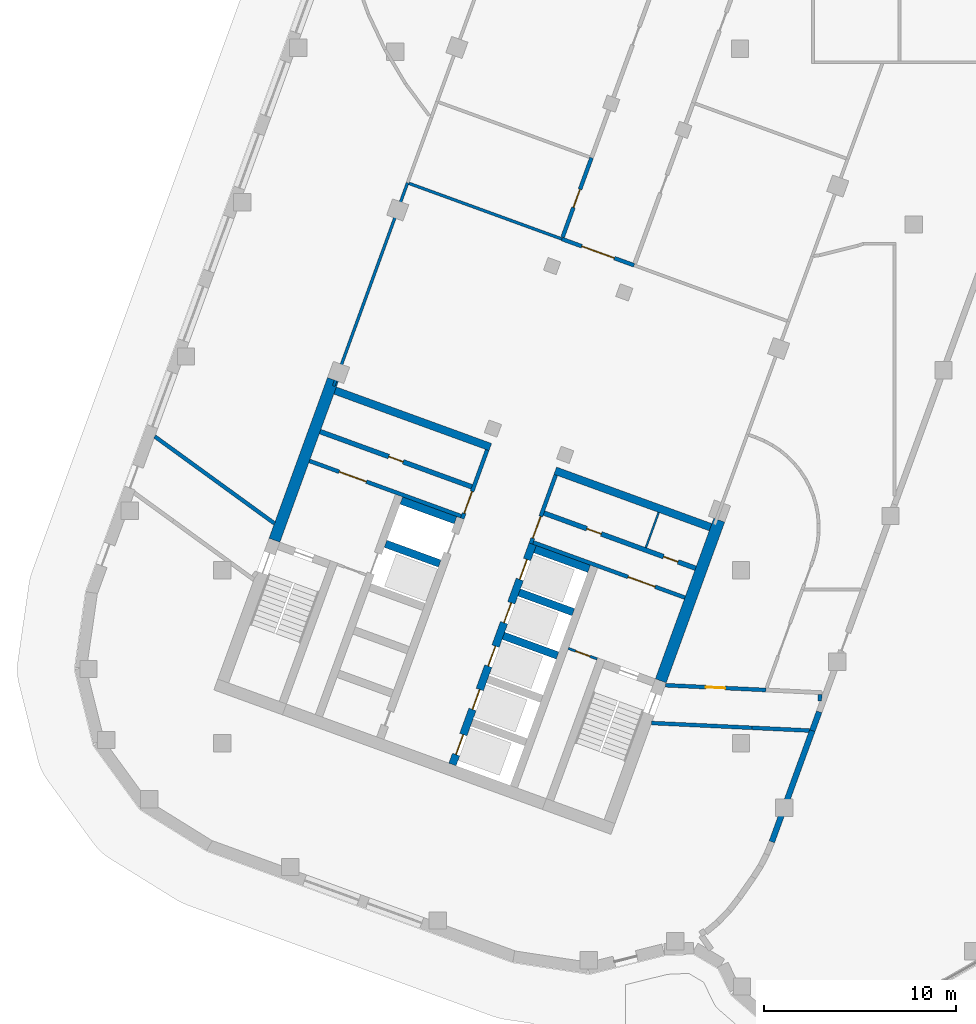
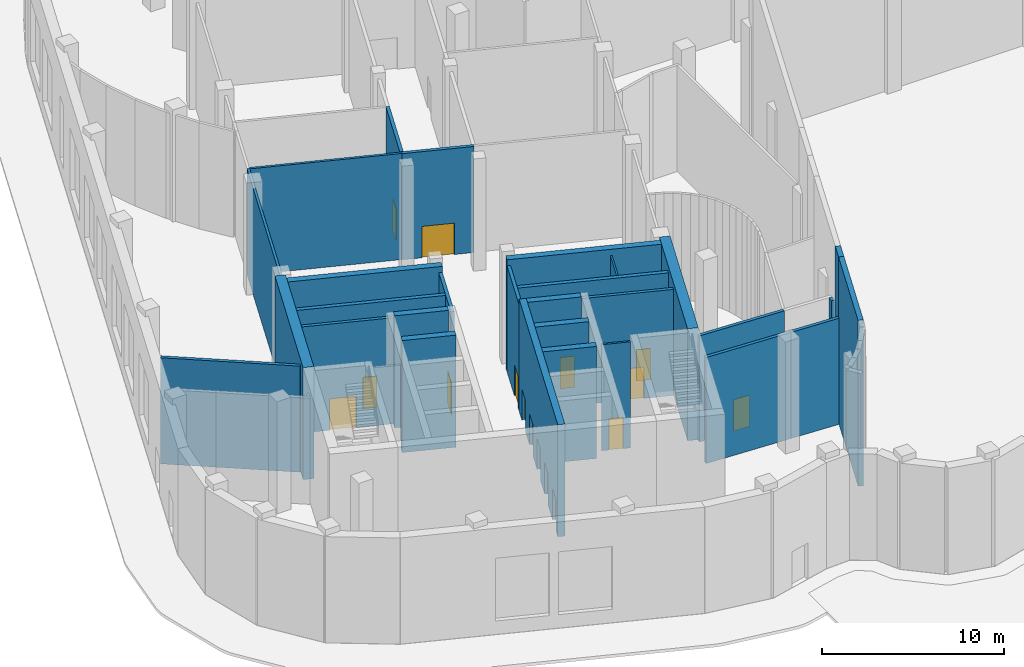
# One storey, part 13 of 30: 29 walls, 16 doors, 16 openings.
"""IFC4 building model written with IfcOpenShell, lengths in metres."""

from ifc_helpers import new_model, si_unit, direction, frame, frame_2d, origin, place, context, subcontext, project, spatial, rectangle, extrude, material, layer, layer_set, type_object, element, fill, save


model = new_model("IFC4")

# Units and contexts
model_context = context("Model", 3, precision=1e-05, world=origin(), true_north=direction((0.0, 1.0)))
body_context = subcontext(model_context, "Body", "Model", "MODEL_VIEW")
ifc_project = project(units=[si_unit("LENGTHUNIT", "METRE"), si_unit("AREAUNIT", "SQUARE_METRE"), si_unit("VOLUMEUNIT", "CUBIC_METRE"), si_unit("PLANEANGLEUNIT", "RADIAN"), si_unit("MASSUNIT", "GRAM", prefix="KILO")], contexts=[model_context])

# Site, building, storey
site_placement = place(None, origin())
site = spatial("IfcSite", under=ifc_project, at=site_placement, CompositionType="ELEMENT")
building_placement = place(site_placement, origin())
building = spatial("IfcBuilding", under=site, at=building_placement, Name="Skarvind Civic Tower", CompositionType="ELEMENT")
storey_placement = place(building_placement, origin())
storey = spatial("IfcBuildingStorey", under=building, at=storey_placement, Name="L00", CompositionType="ELEMENT", Elevation=0.0)

# Wall, opening, door
ifc_material_1 = material(Name="Fire-rated masonry partition", Category="masonry")
ifc_layer_1 = layer(ifc_material_1, 0.199951171875)
ifc_layer_set_1 = layer_set([ifc_layer_1], Name="Core enclosure wall 200")
wall_type_1 = type_object("IfcWallType", Name="Core enclosure wall 200", PredefinedType="PARTITIONING", material=ifc_layer_set_1)
wall_1_placement = place(storey_placement, frame((31.491455078125, 93.693359375, 0.0), z_axis=(0.0, 0.0, 1.0), x_axis=(0.341995824804, 0.939701471648, 0.0)))
wall_1 = element("IfcWall", 1, at=wall_1_placement, inside=storey, type_object=wall_type_1, Name="Core wall C2", PredefinedType="PARTITIONING", context=body_context, shape_type="SweptSolid", body=[
    extrude(rectangle(XDim=3.800048828125, YDim=0.199951171875, at=frame_2d((1.89990234375, 0.0))), origin(), (0.0, 0.0, 1.0), 7.10009765625),
])
opening_1_placement = place(wall_1_placement, frame((0.300048828125, 0.0, 0.0)))
opening_1 = element("IfcOpeningElement", 2, at=opening_1_placement, cuts=wall_1, Name="Opening D-L00-C2-08", PredefinedType="OPENING", context=body_context, shape_type="SweptSolid", body=[
    extrude(rectangle(XDim=1.199951171875, YDim=2.10009765625, at=frame_2d((0.60009765625, 1.050048828125))), frame((0.0, 0.10986328125, 0.0), z_axis=(0.0, -1.0, 0.0), x_axis=(1.0, 0.0, 0.0)), (0.0, 0.0, 1.0), 0.219970703125),
])
ifc_material_2 = material(Name="Fire-rated steel door", Category="steel")
door_type_1 = type_object("IfcDoorType", Name="Core lobby door 1200", OperationType="NOTDEFINED", PredefinedType="DOOR", material=ifc_material_2)
door_1_placement = place(opening_1_placement, origin())
door_1 = element("IfcDoor", 3, at=door_1_placement, inside=storey, type_object=door_type_1, Name="Fire door", OperationType="DOUBLE_DOOR_SINGLE_SWING", OverallHeight=2.10009765625, OverallWidth=1.199951171875, PredefinedType="DOOR", context=body_context, shape_type="SweptSolid", body=[
    extrude(rectangle(XDim=1.199951171875, YDim=2.10009765625, at=frame_2d((0.60009765625, 1.050048828125))), frame((0.0, 0.02490234375, 0.0), z_axis=(0.0, -1.0, 0.0), x_axis=(1.0, 0.0, 0.0)), (0.0, 0.0, 1.0), 0.050048828125),
])
fill(opening_1, door_1)

wall_2_placement = place(storey_placement, frame((23.5380859375, 96.6943359375, 0.0), z_axis=(0.0, 0.0, 1.0), x_axis=(0.939691552312, -0.342023078919, 0.0)))
wall_2 = element("IfcWall", 4, at=wall_2_placement, inside=storey, type_object=wall_type_1, Name="Core wall C2", PredefinedType="PARTITIONING", context=body_context, shape_type="SweptSolid", body=[
    extrude(rectangle(XDim=8.400146484375, YDim=0.199951171875, at=frame_2d((4.2001953125, 0.0))), origin(), (0.0, 0.0, 1.0), 7.10009765625),
])
opening_2_placement = place(wall_2_placement, frame((1.64990234375, 0.0, 0.0)))
opening_2 = element("IfcOpeningElement", 5, at=opening_2_placement, cuts=wall_2, Name="Opening D-L00-C2-09", PredefinedType="OPENING", context=body_context, shape_type="SweptSolid", body=[
    extrude(rectangle(XDim=1.5, YDim=2.10009765625, at=frame_2d((0.75, 1.050048828125))), frame((0.0, 0.10986328125, 0.0), z_axis=(0.0, -1.0, 0.0), x_axis=(1.0, 0.0, 0.0)), (0.0, 0.0, 1.0), 0.219970703125),
])
door_type_2 = type_object("IfcDoorType", Name="Fire door 1500", OperationType="NOTDEFINED", PredefinedType="DOOR", material=ifc_material_2)
door_2_placement = place(opening_2_placement, origin())
door_2 = element("IfcDoor", 6, at=door_2_placement, inside=storey, type_object=door_type_2, Name="Fire door", OperationType="DOUBLE_DOOR_SINGLE_SWING", OverallHeight=2.10009765625, OverallWidth=1.5, PredefinedType="DOOR", context=body_context, shape_type="SweptSolid", body=[
    extrude(rectangle(XDim=1.5, YDim=2.10009765625, at=frame_2d((0.75, 1.050048828125))), frame((0.0, 0.02490234375, 0.0), z_axis=(0.0, -1.0, 0.0), x_axis=(1.0, 0.0, 0.0)), (0.0, 0.0, 1.0), 0.050048828125),
])
fill(opening_2, door_2)

wall_3_placement = place(storey_placement, frame((36.36181640625, 95.96435546875, 0.0), z_axis=(0.0, 0.0, 1.0), x_axis=(-0.341995824804, -0.939701471648, 0.0)))
wall_3 = element("IfcWall", 7, at=wall_3_placement, inside=storey, type_object=wall_type_1, Name="Core wall C2", PredefinedType="PARTITIONING", context=body_context, shape_type="SweptSolid", body=[
    extrude(rectangle(XDim=3.800048828125, YDim=0.199951171875, at=frame_2d((1.89990234375, 0.0))), origin(), (0.0, 0.0, 1.0), 7.10009765625),
])
opening_3_placement = place(wall_3_placement, frame((2.300048828125, 0.0, 0.0)))
opening_3 = element("IfcOpeningElement", 8, at=opening_3_placement, cuts=wall_3, Name="Opening D-L00-C2-13", PredefinedType="OPENING", context=body_context, shape_type="SweptSolid", body=[
    extrude(rectangle(XDim=1.199951171875, YDim=2.10009765625, at=frame_2d((0.60009765625, 1.050048828125))), frame((0.0, 0.10986328125, 0.0), z_axis=(0.0, -1.0, 0.0), x_axis=(1.0, 0.0, 0.0)), (0.0, 0.0, 1.0), 0.219970703125),
])
door_3_placement = place(opening_3_placement, origin())
door_3 = element("IfcDoor", 9, at=door_3_placement, inside=storey, type_object=door_type_1, Name="Fire door", OperationType="DOUBLE_DOOR_SINGLE_SWING", OverallHeight=2.10009765625, OverallWidth=1.199951171875, PredefinedType="DOOR", context=body_context, shape_type="SweptSolid", body=[
    extrude(rectangle(XDim=1.199951171875, YDim=2.10009765625, at=frame_2d((0.60009765625, 1.050048828125))), frame((0.0, 0.02490234375, 0.0), z_axis=(0.0, -1.0, 0.0), x_axis=(1.0, 0.0, 0.0)), (0.0, 0.0, 1.0), 0.050048828125),
])
fill(opening_3, door_3)

wall_4_placement = place(storey_placement, frame((35.1904296875, 92.453369140625, 0.0), z_axis=(0.0, 0.0, 1.0), x_axis=(0.939691552312, -0.342023078919, 0.0)))
wall_4 = element("IfcWall", 10, at=wall_4_placement, inside=storey, type_object=wall_type_1, Name="Core wall C2", PredefinedType="PARTITIONING", context=body_context, shape_type="SweptSolid", body=[
    extrude(rectangle(XDim=8.400146484375, YDim=0.199951171875, at=frame_2d((4.2001953125, 0.0))), origin(), (0.0, 0.0, 1.0), 7.10009765625),
])
opening_4_placement = place(wall_4_placement, frame((5.25, 0.0, 0.0)))
opening_4 = element("IfcOpeningElement", 11, at=opening_4_placement, cuts=wall_4, Name="Opening D-L00-C2-14", PredefinedType="OPENING", context=body_context, shape_type="SweptSolid", body=[
    extrude(rectangle(XDim=1.5, YDim=2.10009765625, at=frame_2d((0.75, 1.050048828125))), frame((0.0, 0.10986328125, 0.0), z_axis=(0.0, -1.0, 0.0), x_axis=(1.0, 0.0, 0.0)), (0.0, 0.0, 1.0), 0.219970703125),
])
door_4_placement = place(opening_4_placement, origin())
door_4 = element("IfcDoor", 12, at=door_4_placement, inside=storey, type_object=door_type_2, Name="Fire door", OperationType="DOUBLE_DOOR_SINGLE_SWING", OverallHeight=2.10009765625, OverallWidth=1.5, PredefinedType="DOOR", context=body_context, shape_type="SweptSolid", body=[
    extrude(rectangle(XDim=1.5, YDim=2.10009765625, at=frame_2d((0.75, 1.050048828125))), frame((0.0, 0.02490234375, 0.0), z_axis=(0.0, -1.0, 0.0), x_axis=(1.0, 0.0, 0.0)), (0.0, 0.0, 1.0), 0.050048828125),
])
fill(opening_4, door_4)

# Wall
ifc_material_3 = material(Name="Fire-rated plasterboard partition")
ifc_layer_2 = layer(ifc_material_3, 0.10009765625)
ifc_layer_set_2 = layer_set([ifc_layer_2], Name="Core partition wall 100")
wall_type_2 = type_object("IfcWallType", Name="Core partition wall 100", PredefinedType="PARTITIONING", material=ifc_layer_set_2)
wall_5_placement = place(storey_placement, frame((41.71826171875, 94.014892578125, 0.0), z_axis=(0.0, 0.0, 1.0), x_axis=(-0.342064742067, -0.939676386973, 0.0)))
element("IfcWall", 13, at=wall_5_placement, inside=storey, type_object=wall_type_2, Name="Core wall C2", PredefinedType="PARTITIONING", context=body_context, shape_type="SweptSolid", body=[
    extrude(rectangle(XDim=1.949951171875, YDim=0.10009765625, at=frame_2d((0.97509765625, 0.0))), origin(), (0.0, 0.0, 1.0), 7.10009765625),
])

# Wall, openings, doors
ifc_material_4 = material(Name="Concrete C80", Category="concrete")
ifc_layer_3 = layer(ifc_material_4, 0.39990234375)
ifc_layer_set_3 = layer_set([ifc_layer_3], Name="Core wall 400 C80")
wall_type_3 = type_object("IfcWallType", Name="Core wall 400 C80", PredefinedType="SHEAR", material=ifc_layer_set_3)
wall_6_placement = place(storey_placement, frame((30.983642578125, 80.895263671875, 0.0), z_axis=(0.0, 0.0, 1.0), x_axis=(0.342021021735, 0.939692301071, 0.0)))
wall_6 = element("IfcWall", 14, at=wall_6_placement, inside=storey, type_object=wall_type_3, Name="Core wall C2 south lift row front L00", PredefinedType="SHEAR", context=body_context, shape_type="SweptSolid", body=[
    extrude(rectangle(XDim=12.199951171875, YDim=0.39990234375, at=frame_2d((6.10009765625, 0.0))), origin(), (0.0, 0.0, 1.0), 7.5),
])
opening_5_placement = place(wall_6_placement, frame((0.550048828125, 0.0, 0.0)))
opening_5 = element("IfcOpeningElement", 15, at=opening_5_placement, cuts=wall_6, Name="Opening LD02206", PredefinedType="OPENING", context=body_context, shape_type="SweptSolid", body=[
    extrude(rectangle(XDim=1.10009765625, YDim=2.10009765625, at=frame_2d((0.550048828125, 1.050048828125))), frame((0.0, 0.2099609375, 0.0), z_axis=(0.0, -1.0, 0.0), x_axis=(1.0, 0.0, 0.0)), (0.0, 0.0, 1.0), 0.419921875),
])
opening_6_placement = place(wall_6_placement, frame((3.050048828125, 0.0, 0.0)))
opening_6 = element("IfcOpeningElement", 16, at=opening_6_placement, cuts=wall_6, Name="Opening LD02207", PredefinedType="OPENING", context=body_context, shape_type="SweptSolid", body=[
    extrude(rectangle(XDim=1.10009765625, YDim=2.10009765625, at=frame_2d((0.550048828125, 1.050048828125))), frame((0.0, 0.2099609375, 0.0), z_axis=(0.0, -1.0, 0.0), x_axis=(1.0, 0.0, 0.0)), (0.0, 0.0, 1.0), 0.419921875),
])
opening_7_placement = place(wall_6_placement, frame((5.449951171875, 0.0, 0.0)))
opening_7 = element("IfcOpeningElement", 17, at=opening_7_placement, cuts=wall_6, Name="Opening LD02208", PredefinedType="OPENING", context=body_context, shape_type="SweptSolid", body=[
    extrude(rectangle(XDim=1.10009765625, YDim=2.10009765625, at=frame_2d((0.550048828125, 1.050048828125))), frame((0.0, 0.2099609375, 0.0), z_axis=(0.0, -1.0, 0.0), x_axis=(1.0, 0.0, 0.0)), (0.0, 0.0, 1.0), 0.419921875),
])
opening_8_placement = place(wall_6_placement, frame((7.85009765625, 0.0, 0.0)))
opening_8 = element("IfcOpeningElement", 18, at=opening_8_placement, cuts=wall_6, Name="Opening LD02209", PredefinedType="OPENING", context=body_context, shape_type="SweptSolid", body=[
    extrude(rectangle(XDim=1.10009765625, YDim=2.10009765625, at=frame_2d((0.550048828125, 1.050048828125))), frame((0.0, 0.2099609375, 0.0), z_axis=(0.0, -1.0, 0.0), x_axis=(1.0, 0.0, 0.0)), (0.0, 0.0, 1.0), 0.419921875),
])
opening_9_placement = place(wall_6_placement, frame((10.25, 0.0, 0.0)))
opening_9 = element("IfcOpeningElement", 19, at=opening_9_placement, cuts=wall_6, Name="Opening LD02210", PredefinedType="OPENING", context=body_context, shape_type="SweptSolid", body=[
    extrude(rectangle(XDim=1.10009765625, YDim=2.10009765625, at=frame_2d((0.550048828125, 1.050048828125))), frame((0.0, 0.2099609375, 0.0), z_axis=(0.0, -1.0, 0.0), x_axis=(1.0, 0.0, 0.0)), (0.0, 0.0, 1.0), 0.419921875),
])
ifc_material_5 = material(Name="Stainless steel landing door", Category="steel")
door_type_3 = type_object("IfcDoorType", Name="Lift landing door 1100", OperationType="DOUBLE_DOOR_SLIDING", PredefinedType="DOOR", material=ifc_material_5)
door_5_placement = place(opening_5_placement, origin())
door_5 = element("IfcDoor", 20, at=door_5_placement, inside=storey, type_object=door_type_3, Name="Lift landing door", OperationType="DOUBLE_DOOR_SLIDING", OverallHeight=2.10009765625, OverallWidth=1.10009765625, PredefinedType="DOOR", context=body_context, shape_type="SweptSolid", body=[
    extrude(rectangle(XDim=1.10009765625, YDim=2.10009765625, at=frame_2d((0.550048828125, 1.050048828125))), frame((0.0, 0.02490234375, 0.0), z_axis=(0.0, -1.0, 0.0), x_axis=(1.0, 0.0, 0.0)), (0.0, 0.0, 1.0), 0.050048828125),
])
fill(opening_5, door_5)
door_6_placement = place(opening_6_placement, origin())
door_6 = element("IfcDoor", 21, at=door_6_placement, inside=storey, type_object=door_type_3, Name="Lift landing door", OperationType="DOUBLE_DOOR_SLIDING", OverallHeight=2.10009765625, OverallWidth=1.10009765625, PredefinedType="DOOR", context=body_context, shape_type="SweptSolid", body=[
    extrude(rectangle(XDim=1.10009765625, YDim=2.10009765625, at=frame_2d((0.550048828125, 1.050048828125))), frame((0.0, 0.02490234375, 0.0), z_axis=(0.0, -1.0, 0.0), x_axis=(1.0, 0.0, 0.0)), (0.0, 0.0, 1.0), 0.050048828125),
])
fill(opening_6, door_6)
door_7_placement = place(opening_7_placement, origin())
door_7 = element("IfcDoor", 22, at=door_7_placement, inside=storey, type_object=door_type_3, Name="Lift landing door", OperationType="DOUBLE_DOOR_SLIDING", OverallHeight=2.10009765625, OverallWidth=1.10009765625, PredefinedType="DOOR", context=body_context, shape_type="SweptSolid", body=[
    extrude(rectangle(XDim=1.10009765625, YDim=2.10009765625, at=frame_2d((0.550048828125, 1.050048828125))), frame((0.0, 0.02490234375, 0.0), z_axis=(0.0, -1.0, 0.0), x_axis=(1.0, 0.0, 0.0)), (0.0, 0.0, 1.0), 0.050048828125),
])
fill(opening_7, door_7)
door_8_placement = place(opening_8_placement, origin())
door_8 = element("IfcDoor", 23, at=door_8_placement, inside=storey, type_object=door_type_3, Name="Lift landing door", OperationType="DOUBLE_DOOR_SLIDING", OverallHeight=2.10009765625, OverallWidth=1.10009765625, PredefinedType="DOOR", context=body_context, shape_type="SweptSolid", body=[
    extrude(rectangle(XDim=1.10009765625, YDim=2.10009765625, at=frame_2d((0.550048828125, 1.050048828125))), frame((0.0, 0.02490234375, 0.0), z_axis=(0.0, -1.0, 0.0), x_axis=(1.0, 0.0, 0.0)), (0.0, 0.0, 1.0), 0.050048828125),
])
fill(opening_8, door_8)
door_9_placement = place(opening_9_placement, origin())
door_9 = element("IfcDoor", 24, at=door_9_placement, inside=storey, type_object=door_type_3, Name="Lift landing door", OperationType="DOUBLE_DOOR_SLIDING", OverallHeight=2.10009765625, OverallWidth=1.10009765625, PredefinedType="DOOR", context=body_context, shape_type="SweptSolid", body=[
    extrude(rectangle(XDim=1.10009765625, YDim=2.10009765625, at=frame_2d((0.550048828125, 1.050048828125))), frame((0.0, 0.02490234375, 0.0), z_axis=(0.0, -1.0, 0.0), x_axis=(1.0, 0.0, 0.0)), (0.0, 0.0, 1.0), 0.050048828125),
])
fill(opening_9, door_9)

# Walls
for number, where, z_axis, x_axis, name in (
    (25, (36.453125, 86.56640625, 0.0), (0.0, 0.0, 1.0), (-0.939686455819, 0.342037080957, 0.0), "Core wall C2 south lift row division 3 L00"),
    (26, (37.27392578125, 88.82177734375, 0.0), (0.0, 0.0, 1.0), (-0.939686455819, 0.342037080957, 0.0), "Core wall C2 south lift row division 4 L00"),
):
    element("IfcWall", number, at=place(storey_placement, frame(where, z_axis=z_axis, x_axis=x_axis)), inside=storey, type_object=wall_type_3, Name=name, PredefinedType="SHEAR", context=body_context, shape_type="SweptSolid", body=[
        extrude(rectangle(XDim=3.0, YDim=0.39990234375, at=frame_2d((1.5, 0.0))), origin(), (0.0, 0.0, 1.0), 7.5),
    ])
wall_7_placement = place(storey_placement, frame((38.0947265625, 91.076904296875, 0.0), z_axis=(0.0, 0.0, 1.0), x_axis=(-0.939676934218, 0.342063238742, 0.0)))
element("IfcWall", 27, at=wall_7_placement, inside=storey, type_object=wall_type_3, Name="Core wall C2 south lift row division 5 L00", PredefinedType="SHEAR", context=body_context, shape_type="SweptSolid", body=[
    extrude(rectangle(XDim=2.999755859375, YDim=0.39990234375, at=frame_2d((1.5, 0.0))), origin(), (0.0, 0.0, 1.0), 7.5),
])
for number, where, z_axis, x_axis, name in (
    (28, (30.3203125, 91.352783203125, 0.0), (0.0, 0.0, 1.0), (-0.939712609717, 0.341965219194, 0.0), "Core wall C2 north lift row division 4 L00"),
    (29, (31.14111328125, 93.60791015625, 0.0), (0.0, 0.0, 1.0), (-0.939686455819, 0.342037080957, 0.0), "Core wall C2 north lift row division 5 L00"),
):
    element("IfcWall", number, at=place(storey_placement, frame(where, z_axis=z_axis, x_axis=x_axis)), inside=storey, type_object=wall_type_3, Name=name, PredefinedType="SHEAR", context=body_context, shape_type="SweptSolid", body=[
        extrude(rectangle(XDim=3.0, YDim=0.39990234375, at=frame_2d((1.5, 0.0))), origin(), (0.0, 0.0, 1.0), 7.5),
    ])
for number, where, z_axis, x_axis, name in (
    (30, (44.417724609375, 93.2451171875, 0.0), (0.0, 0.0, 1.0), (-0.93969060187, 0.342025690201, 0.0), "Core wall C2 south inner face L00"),
    (31, (32.953369140625, 97.417724609375, 0.0), (0.0, 0.0, 1.0), (-0.93969060187, 0.342025690201, 0.0), "Core wall C2 north inner face L00"),
):
    element("IfcWall", number, at=place(storey_placement, frame(where, z_axis=z_axis, x_axis=x_axis)), inside=storey, type_object=wall_type_3, Name=name, PredefinedType="SHEAR", context=body_context, shape_type="SweptSolid", body=[
        extrude(rectangle(XDim=8.599853515625, YDim=0.39990234375, at=frame_2d((4.2998046875, 0.0))), origin(), (0.0, 0.0, 1.0), 7.5),
    ])
ifc_layer_4 = layer(ifc_material_4, 0.60009765625)
ifc_layer_set_4 = layer_set([ifc_layer_4], Name="Core wall 600 C80")
wall_type_4 = type_object("IfcWallType", Name="Core wall 600 C80", PredefinedType="SHEAR", material=ifc_layer_set_4)
for number, where, z_axis, x_axis, name in (
    (32, (41.82666015625, 85.249267578125, 0.0), (0.0, 0.0, 1.0), (0.342016162452, 0.939694069696, 0.0), "Core wall C2 south side L00"),
    (33, (21.71728515625, 92.568359375, 0.0), (0.0, 0.0, 1.0), (0.342016162452, 0.939694069696, 0.0), "Core wall C2 north side L00"),
):
    element("IfcWall", number, at=place(storey_placement, frame(where, z_axis=z_axis, x_axis=x_axis)), inside=storey, type_object=wall_type_4, Name=name, PredefinedType="SHEAR", context=body_context, shape_type="SweptSolid", body=[
        extrude(rectangle(XDim=8.89990234375, YDim=0.60009765625, at=frame_2d((4.449951171875, 0.0))), origin(), (0.0, 0.0, 1.0), 7.5),
    ])
ifc_material_6 = material(Name="Fire-rated blockwork wall, plastered", Category="masonry")
ifc_layer_5 = layer(ifc_material_6, 0.199951171875)
ifc_layer_set_5 = layer_set([ifc_layer_5], Name="FIRE WALL 200 EI 120")
wall_type_5 = type_object("IfcWallType", Name="FIRE WALL 200 EI 120", PredefinedType="PARTITIONING", material=ifc_layer_set_5)
wall_8_placement = place(storey_placement, frame((15.488037109375, 97.968017578125, 0.0), z_axis=(0.0, 0.0, 1.0), x_axis=(0.809018500784, -0.587783178892, 0.0)))
element("IfcWall", 34, at=wall_8_placement, inside=storey, type_object=wall_type_5, Name="Podium partition L00 002", PredefinedType="PARTITIONING", context=body_context, shape_type="SweptSolid", body=[
    extrude(rectangle(XDim=7.6982421875, YDim=0.199951171875, at=frame_2d((3.84912109375, 0.0))), origin(), (0.0, 0.0, 1.0), 7.10009765625),
])
wall_9_placement = place(storey_placement, frame((41.346923828125, 83.052001953125, 0.0), z_axis=(0.0, 0.0, 1.0), x_axis=(0.998867926688, -0.04756958097, 0.0)))
element("IfcWall", 35, at=wall_9_placement, inside=storey, type_object=wall_type_5, Name="Podium partition L00 024", PredefinedType="PARTITIONING", context=body_context, shape_type="SweptSolid", body=[
    extrude(rectangle(XDim=5.23486328125, YDim=0.199951171875, at=frame_2d((2.617431640625, 0.0))), origin(), (0.0, 0.0, 1.0), 7.10009765625),
])

# Wall, opening, door
wall_10_placement = place(storey_placement, frame((42.06298828125, 85.02001953125, 0.0), z_axis=(0.0, 0.0, 1.0), x_axis=(0.998868348702, -0.047560718685, 0.0)))
wall_10 = element("IfcWall", 36, at=wall_10_placement, inside=storey, type_object=wall_type_5, Name="Podium partition L00 025", PredefinedType="PARTITIONING", context=body_context, shape_type="SweptSolid", body=[
    extrude(rectangle(XDim=5.23583984375, YDim=0.199951171875, at=frame_2d((2.617919921875, 0.0))), origin(), (0.0, 0.0, 1.0), 7.10009765625),
])
opening_10_placement = place(wall_10_placement, frame((2.117919921875, 0.0, 0.0)))
opening_10 = element("IfcOpeningElement", 37, at=opening_10_placement, cuts=wall_10, Name="Opening L00-D205", PredefinedType="OPENING", context=body_context, shape_type="SweptSolid", body=[
    extrude(rectangle(XDim=1.0, YDim=2.10009765625, at=frame_2d((0.5, 1.050048828125))), frame((0.0, 0.10986328125, 0.0), z_axis=(0.0, -1.0, 0.0), x_axis=(1.0, 0.0, 0.0)), (0.0, 0.0, 1.0), 0.219970703125),
])
ifc_material_7 = material(Name="Painted steel fire door leaf", Category="steel")
door_type_4 = type_object("IfcDoorType", Name="FIRE DOOR 1000X2100 STEEL", OperationType="NOTDEFINED", PredefinedType="DOOR", material=ifc_material_7)
door_10_placement = place(opening_10_placement, origin())
door_10 = element("IfcDoor", 38, at=door_10_placement, inside=storey, type_object=door_type_4, Name="FIRE DOOR", OperationType="SINGLE_SWING_RIGHT", OverallHeight=2.10009765625, OverallWidth=1.0, PredefinedType="DOOR", context=body_context, shape_type="SweptSolid", body=[
    extrude(rectangle(XDim=1.0, YDim=2.10009765625, at=frame_2d((0.5, 1.050048828125))), frame((0.0, 0.02490234375, 0.0), z_axis=(0.0, -1.0, 0.0), x_axis=(1.0, 0.0, 0.0)), (0.0, 0.0, 1.0), 0.050048828125),
])
fill(opening_10, door_10)

# Walls
wall_11_placement = place(storey_placement, frame((46.575927734375, 82.802978515625, 0.0), z_axis=(0.0, 0.0, 1.0), x_axis=(0.998850300233, -0.047938269937, 0.0)))
element("IfcWall", 39, at=wall_11_placement, inside=storey, type_object=wall_type_5, Name="Podium partition L00 038", PredefinedType="PARTITIONING", context=body_context, shape_type="SweptSolid", body=[
    extrude(rectangle(XDim=2.984375, YDim=0.199951171875, at=frame_2d((1.4921875, 0.0))), origin(), (0.0, 0.0, 1.0), 7.10009765625),
])
wall_12_placement = place(storey_placement, frame((50.10009765625, 84.205078125, 0.0), z_axis=(0.0, 0.0, 1.0), x_axis=(0.044972900842, 0.998988207233, 0.0)))
element("IfcWall", 40, at=wall_12_placement, inside=storey, type_object=wall_type_5, Name="Podium partition L00 075", PredefinedType="PARTITIONING", context=body_context, shape_type="SweptSolid", body=[
    extrude(rectangle(XDim=0.3310546875, YDim=0.199951171875, at=frame_2d((0.16552734375, 0.0))), origin(), (0.0, 0.0, 1.0), 7.10009765625),
])

# Wall, opening, door
ifc_layer_6 = layer(ifc_material_6, 0.199951171875)
ifc_layer_set_6 = layer_set([ifc_layer_6], Name="FIRE WALL 200 EI 60")
wall_type_6 = type_object("IfcWallType", Name="FIRE WALL 200 EI 60", PredefinedType="PARTITIONING", material=ifc_layer_set_6)
wall_13_placement = place(storey_placement, frame((36.716064453125, 108.340087890625, 0.0), z_axis=(0.0, 0.0, 1.0), x_axis=(0.342063854115, 0.939676710208, 0.0)))
wall_13 = element("IfcWall", 41, at=wall_13_placement, inside=storey, type_object=wall_type_6, Name="Podium partition L00 019", PredefinedType="PARTITIONING", context=body_context, shape_type="SweptSolid", body=[
    extrude(rectangle(XDim=4.3994140625, YDim=0.199951171875, at=frame_2d((2.19970703125, 0.0))), origin(), (0.0, 0.0, 1.0), 7.10009765625),
])
opening_11_placement = place(wall_13_placement, frame((1.652099609375, 0.0, 0.0)))
opening_11 = element("IfcOpeningElement", 42, at=opening_11_placement, cuts=wall_13, Name="Opening L00-D201", PredefinedType="OPENING", context=body_context, shape_type="SweptSolid", body=[
    extrude(rectangle(XDim=1.0, YDim=2.10009765625, at=frame_2d((0.5, 1.050048828125))), frame((0.0, 0.10986328125, 0.0), z_axis=(0.0, -1.0, 0.0), x_axis=(1.0, 0.0, 0.0)), (0.0, 0.0, 1.0), 0.219970703125),
])
door_11_placement = place(opening_11_placement, origin())
door_11 = element("IfcDoor", 43, at=door_11_placement, inside=storey, type_object=door_type_4, Name="FIRE DOOR", OperationType="SINGLE_SWING_LEFT", OverallHeight=2.10009765625, OverallWidth=1.0, PredefinedType="DOOR", context=body_context, shape_type="SweptSolid", body=[
    extrude(rectangle(XDim=1.0, YDim=2.10009765625, at=frame_2d((0.5, 1.050048828125))), frame((0.0, 0.02490234375, 0.0), z_axis=(0.0, -1.0, 0.0), x_axis=(1.0, 0.0, 0.0)), (0.0, 0.0, 1.0), 0.050048828125),
])
fill(opening_11, door_11)

wall_14_placement = place(storey_placement, frame((40.43994140625, 106.8779296875, 0.0), z_axis=(0.0, 0.0, 1.0), x_axis=(-0.939665029144, 0.342095941228, 0.0)))
wall_14 = element("IfcWall", 44, at=wall_14_placement, inside=storey, type_object=wall_type_6, Name="Podium partition L00 020", PredefinedType="PARTITIONING", context=body_context, shape_type="SweptSolid", body=[
    extrude(rectangle(XDim=3.999267578125, YDim=0.199951171875, at=frame_2d((1.99951171875, 0.0))), origin(), (0.0, 0.0, 1.0), 7.10009765625),
])
opening_12_placement = place(wall_14_placement, frame((1.09912109375, 0.0, 0.0)))
opening_12 = element("IfcOpeningElement", 45, at=opening_12_placement, cuts=wall_14, Name="Opening L00-D202", PredefinedType="OPENING", context=body_context, shape_type="SweptSolid", body=[
    extrude(rectangle(XDim=1.800048828125, YDim=2.10009765625, at=frame_2d((0.89990234375, 1.050048828125))), frame((0.0, 0.10986328125, 0.0), z_axis=(0.0, -1.0, 0.0), x_axis=(1.0, 0.0, 0.0)), (0.0, 0.0, 1.0), 0.219970703125),
])
door_type_5 = type_object("IfcDoorType", Name="FIRE DOOR 1800X2100 DOUBLE STEEL", OperationType="NOTDEFINED", PredefinedType="DOOR", material=ifc_material_7)
door_12_placement = place(opening_12_placement, origin())
door_12 = element("IfcDoor", 46, at=door_12_placement, inside=storey, type_object=door_type_5, Name="FIRE DOOR", OperationType="DOUBLE_DOOR_SINGLE_SWING", OverallHeight=2.10009765625, OverallWidth=1.800048828125, PredefinedType="DOOR", context=body_context, shape_type="SweptSolid", body=[
    extrude(rectangle(XDim=1.800048828125, YDim=2.10009765625, at=frame_2d((0.89990234375, 1.050048828125))), frame((0.0, 0.02490234375, 0.0), z_axis=(0.0, -1.0, 0.0), x_axis=(1.0, 0.0, 0.0)), (0.0, 0.0, 1.0), 0.050048828125),
])
fill(opening_12, door_12)

# Walls
ifc_layer_7 = layer(ifc_material_6, 0.300048828125)
ifc_layer_set_7 = layer_set([ifc_layer_7], Name="FIRE WALL 300 EI 120")
wall_type_7 = type_object("IfcWallType", Name="FIRE WALL 300 EI 120", PredefinedType="PARTITIONING", material=ifc_layer_set_7)
wall_15_placement = place(storey_placement, frame((49.714111328125, 82.653076171875, 0.0), z_axis=(0.0, 0.0, 1.0), x_axis=(0.341855399979, 0.939752566107, 0.0)))
element("IfcWall", 47, at=wall_15_placement, inside=storey, type_object=wall_type_7, Name="Podium partition L00 058", PredefinedType="PARTITIONING", context=body_context, shape_type="SweptSolid", body=[
    extrude(rectangle(XDim=1.046875, YDim=0.300048828125, at=frame_2d((0.5234375, 0.0))), origin(), (0.0, 0.0, 1.0), 11.10009765625),
])
ifc_material_8 = material(Name="Dense blockwork wall, plastered", Category="masonry")
ifc_layer_8 = layer(ifc_material_8, 0.300048828125)
ifc_layer_set_8 = layer_set([ifc_layer_8], Name="MASONRY WALL 300")
wall_type_8 = type_object("IfcWallType", Name="MASONRY WALL 300", PredefinedType="PARTITIONING", material=ifc_layer_set_8)
wall_16_placement = place(storey_placement, frame((47.60791015625, 76.865966796875, 0.0), z_axis=(0.0, 0.0, 1.0), x_axis=(0.342000874947, 0.939699633678, 0.0)))
element("IfcWall", 48, at=wall_16_placement, inside=storey, type_object=wall_type_8, Name="Podium partition L00 047", PredefinedType="PARTITIONING", context=body_context, shape_type="SweptSolid", body=[
    extrude(rectangle(XDim=6.158447265625, YDim=0.300048828125, at=frame_2d((3.0791015625, 0.0))), origin(), (0.0, 0.0, 1.0), 11.10009765625),
])
ifc_material_9 = material(Name="Plasterboard partition on steel studs", Category="steel")
ifc_layer_9 = layer(ifc_material_9, 0.14990234375)
ifc_layer_set_9 = layer_set([ifc_layer_9], Name="PARTITION 150")
wall_type_9 = type_object("IfcWallType", Name="PARTITION 150", PredefinedType="PARTITIONING", material=ifc_layer_set_9)
wall_17_placement = place(storey_placement, frame((24.800048828125, 100.597900390625, 0.0), z_axis=(0.0, 0.0, 1.0), x_axis=(0.341943433621, 0.93972053729, 0.0)))
element("IfcWall", 49, at=wall_17_placement, inside=storey, type_object=wall_type_9, Name="Podium partition L00 005", PredefinedType="PARTITIONING", context=body_context, shape_type="SweptSolid", body=[
    extrude(rectangle(XDim=11.250244140625, YDim=0.14990234375, at=frame_2d((5.625, 0.0))), origin(), (0.0, 0.0, 1.0), 7.10009765625),
])
wall_18_placement = place(storey_placement, frame((28.717041015625, 111.14404296875, 0.0), z_axis=(0.0, 0.0, 1.0), x_axis=(0.939731172492, -0.341914204803, 0.0)))
element("IfcWall", 50, at=wall_18_placement, inside=storey, type_object=wall_type_9, Name="Podium partition L00 013", PredefinedType="PARTITIONING", context=body_context, shape_type="SweptSolid", body=[
    extrude(rectangle(XDim=8.4755859375, YDim=0.14990234375, at=frame_2d((4.23779296875, 0.0))), origin(), (0.0, 0.0, 1.0), 7.10009765625),
])

# Wall, opening, door
ifc_layer_10 = layer(ifc_material_1, 0.125)
ifc_layer_set_10 = layer_set([ifc_layer_10], Name="Riser wall 125")
wall_type_10 = type_object("IfcWallType", Name="Riser wall 125", PredefinedType="PARTITIONING", material=ifc_layer_set_10)
wall_19_placement = place(storey_placement, frame((37.012939453125, 86.934814453125, 0.0), z_axis=(0.0, 0.0, 1.0), x_axis=(0.939659694648, -0.342110593602, 0.0)))
wall_19 = element("IfcWall", 51, at=wall_19_placement, inside=storey, type_object=wall_type_10, Name="Core wall C2", PredefinedType="PARTITIONING", context=body_context, shape_type="SweptSolid", body=[
    extrude(rectangle(XDim=1.599853515625, YDim=0.125, at=frame_2d((0.7998046875, 0.0))), origin(), (0.0, 0.0, 1.0), 7.10009765625),
])
opening_13_placement = place(wall_19_placement, frame((0.39990234375, 0.0, 0.0)))
opening_13 = element("IfcOpeningElement", 52, at=opening_13_placement, cuts=wall_19, Name="Opening D-L00-C2-16", PredefinedType="OPENING", context=body_context, shape_type="SweptSolid", body=[
    extrude(rectangle(XDim=0.800048828125, YDim=2.10009765625, at=frame_2d((0.39990234375, 1.050048828125))), frame((0.0, 0.072509765625, 0.0), z_axis=(0.0, -1.0, 0.0), x_axis=(1.0, 0.0, 0.0)), (0.0, 0.0, 1.0), 0.14501953125),
])
door_type_6 = type_object("IfcDoorType", Name="Core riser door 800", OperationType="NOTDEFINED", PredefinedType="DOOR", material=ifc_material_2)
door_13_placement = place(opening_13_placement, origin())
door_13 = element("IfcDoor", 53, at=door_13_placement, inside=storey, type_object=door_type_6, Name="Riser door", OperationType="SINGLE_SWING_LEFT", OverallHeight=2.10009765625, OverallWidth=0.800048828125, PredefinedType="DOOR", context=body_context, shape_type="SweptSolid", body=[
    extrude(rectangle(XDim=0.800048828125, YDim=2.10009765625, at=frame_2d((0.39990234375, 1.050048828125))), frame((0.0, 0.02490234375, 0.0), z_axis=(0.0, -1.0, 0.0), x_axis=(1.0, 0.0, 0.0)), (0.0, 0.0, 1.0), 0.050048828125),
])
fill(opening_13, door_13)

ifc_layer_11 = layer(ifc_material_1, 0.25)
ifc_layer_set_11 = layer_set([ifc_layer_11], Name="Service block wall 250")
wall_type_11 = type_object("IfcWallType", Name="Service block wall 250", PredefinedType="PARTITIONING", material=ifc_layer_set_11)
wall_20_placement = place(storey_placement, frame((24.093994140625, 98.221435546875, 0.0), z_axis=(0.0, 0.0, 1.0), x_axis=(0.939691552312, -0.342023078919, 0.0)))
wall_20 = element("IfcWall", 54, at=wall_20_placement, inside=storey, type_object=wall_type_11, Name="Core wall C2", PredefinedType="PARTITIONING", context=body_context, shape_type="SweptSolid", body=[
    extrude(rectangle(XDim=8.400146484375, YDim=0.25, at=frame_2d((4.2001953125, 0.0))), origin(), (0.0, 0.0, 1.0), 7.10009765625),
])
opening_14_placement = place(wall_20_placement, frame((3.800048828125, 0.0, 0.0)))
opening_14 = element("IfcOpeningElement", 55, at=opening_14_placement, cuts=wall_20, Name="Opening D-L00-C2-12", PredefinedType="OPENING", context=body_context, shape_type="SweptSolid", body=[
    extrude(rectangle(XDim=0.800048828125, YDim=2.10009765625, at=frame_2d((0.39990234375, 1.050048828125))), frame((0.0, 0.135009765625, 0.0), z_axis=(0.0, -1.0, 0.0), x_axis=(1.0, 0.0, 0.0)), (0.0, 0.0, 1.0), 0.27001953125),
])
door_14_placement = place(opening_14_placement, origin())
door_14 = element("IfcDoor", 56, at=door_14_placement, inside=storey, type_object=door_type_6, Name="Riser door", OperationType="SINGLE_SWING_LEFT", OverallHeight=2.10009765625, OverallWidth=0.800048828125, PredefinedType="DOOR", context=body_context, shape_type="SweptSolid", body=[
    extrude(rectangle(XDim=0.800048828125, YDim=2.10009765625, at=frame_2d((0.39990234375, 1.050048828125))), frame((0.0, 0.02490234375, 0.0), z_axis=(0.0, -1.0, 0.0), x_axis=(1.0, 0.0, 0.0)), (0.0, 0.0, 1.0), 0.050048828125),
])
fill(opening_14, door_14)

# Wall, openings, doors
wall_21_placement = place(storey_placement, frame((35.74609375, 93.98046875, 0.0), z_axis=(0.0, 0.0, 1.0), x_axis=(0.939691552312, -0.342023078919, 0.0)))
wall_21 = element("IfcWall", 57, at=wall_21_placement, inside=storey, type_object=wall_type_11, Name="Core wall C2", PredefinedType="PARTITIONING", context=body_context, shape_type="SweptSolid", body=[
    extrude(rectangle(XDim=8.400146484375, YDim=0.25, at=frame_2d((4.2001953125, 0.0))), origin(), (0.0, 0.0, 1.0), 7.10009765625),
])
opening_15_placement = place(wall_21_placement, frame((2.375, 0.0, 0.0)))
opening_15 = element("IfcOpeningElement", 58, at=opening_15_placement, cuts=wall_21, Name="Opening D-L00-C2-17", PredefinedType="OPENING", context=body_context, shape_type="SweptSolid", body=[
    extrude(rectangle(XDim=0.800048828125, YDim=2.10009765625, at=frame_2d((0.39990234375, 1.050048828125))), frame((0.0, 0.135009765625, 0.0), z_axis=(0.0, -1.0, 0.0), x_axis=(1.0, 0.0, 0.0)), (0.0, 0.0, 1.0), 0.27001953125),
])
opening_16_placement = place(wall_21_placement, frame((6.625, 0.0, 0.0)))
opening_16 = element("IfcOpeningElement", 59, at=opening_16_placement, cuts=wall_21, Name="Opening D-L00-C2-18", PredefinedType="OPENING", context=body_context, shape_type="SweptSolid", body=[
    extrude(rectangle(XDim=0.800048828125, YDim=2.10009765625, at=frame_2d((0.39990234375, 1.050048828125))), frame((0.0, 0.135009765625, 0.0), z_axis=(0.0, -1.0, 0.0), x_axis=(1.0, 0.0, 0.0)), (0.0, 0.0, 1.0), 0.27001953125),
])
door_15_placement = place(opening_15_placement, origin())
door_15 = element("IfcDoor", 60, at=door_15_placement, inside=storey, type_object=door_type_6, Name="Riser door", OperationType="SINGLE_SWING_RIGHT", OverallHeight=2.10009765625, OverallWidth=0.800048828125, PredefinedType="DOOR", context=body_context, shape_type="SweptSolid", body=[
    extrude(rectangle(XDim=0.800048828125, YDim=2.10009765625, at=frame_2d((0.39990234375, 1.050048828125))), frame((0.0, 0.02490234375, 0.0), z_axis=(0.0, -1.0, 0.0), x_axis=(1.0, 0.0, 0.0)), (0.0, 0.0, 1.0), 0.050048828125),
])
fill(opening_15, door_15)
door_16_placement = place(opening_16_placement, origin())
door_16 = element("IfcDoor", 61, at=door_16_placement, inside=storey, type_object=door_type_6, Name="Riser door", OperationType="SINGLE_SWING_LEFT", OverallHeight=2.10009765625, OverallWidth=0.800048828125, PredefinedType="DOOR", context=body_context, shape_type="SweptSolid", body=[
    extrude(rectangle(XDim=0.800048828125, YDim=2.10009765625, at=frame_2d((0.39990234375, 1.050048828125))), frame((0.0, 0.02490234375, 0.0), z_axis=(0.0, -1.0, 0.0), x_axis=(1.0, 0.0, 0.0)), (0.0, 0.0, 1.0), 0.050048828125),
])
fill(opening_16, door_16)

save(model, "model.ifc")
